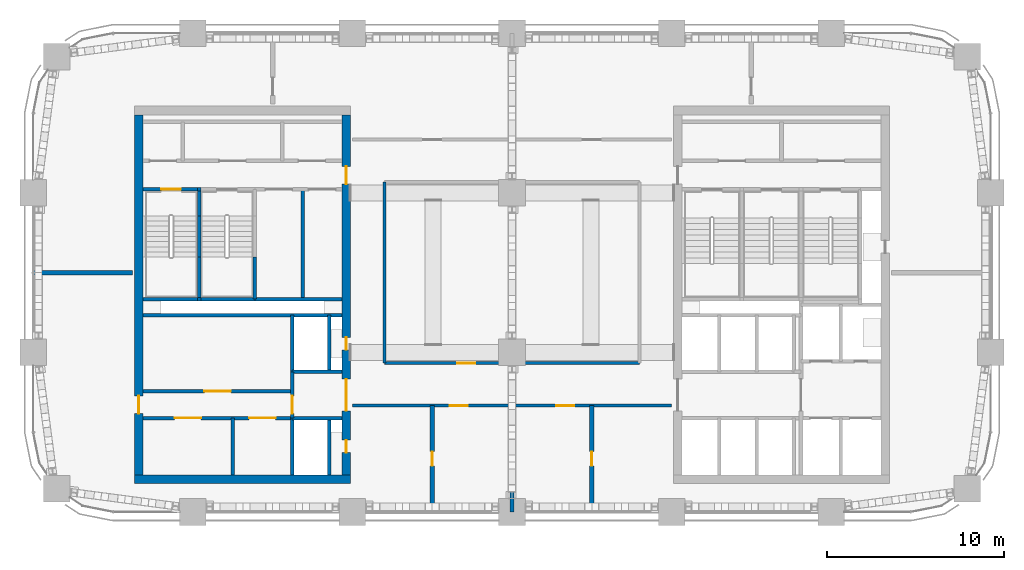
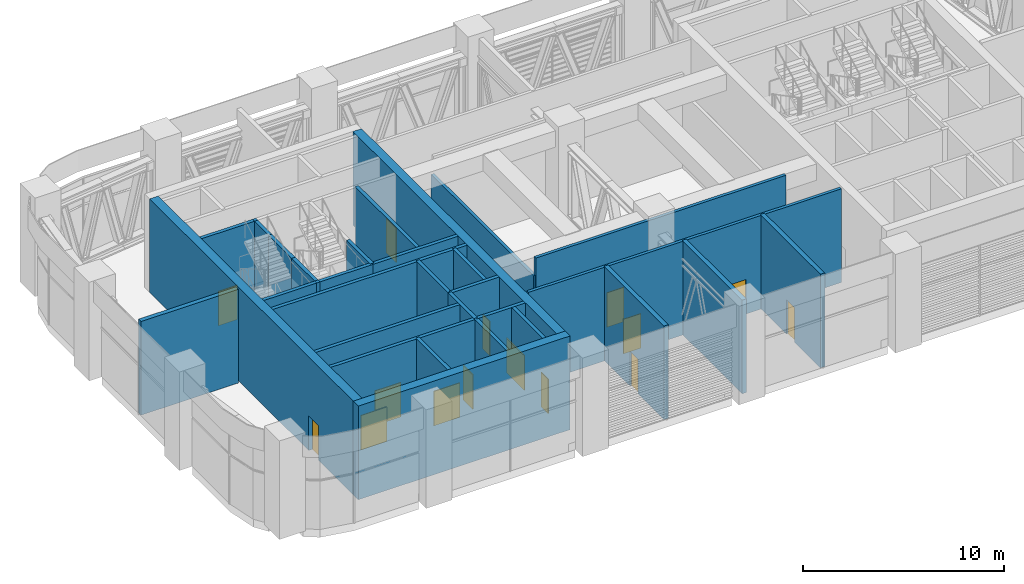
# One storey, part 12 of 19: 32 walls, 15 doors, 15 openings.
"""IFC4 building model written with IfcOpenShell, lengths in metres."""

from ifc_helpers import new_model, si_unit, direction, frame, frame_2d, origin, place, context, subcontext, project, spatial, rectangle, extrude, material, layer, layer_set, type_object, element, fill, save


model = new_model("IFC4")

# Units and contexts
model_context = context("Model", 3, precision=1e-05, world=origin(), true_north=direction((0.0, 1.0)))
body_context = subcontext(model_context, "Body", "Model", "MODEL_VIEW")
ifc_project = project(units=[si_unit("LENGTHUNIT", "METRE"), si_unit("AREAUNIT", "SQUARE_METRE"), si_unit("VOLUMEUNIT", "CUBIC_METRE"), si_unit("PLANEANGLEUNIT", "RADIAN"), si_unit("MASSUNIT", "GRAM", prefix="KILO")], contexts=[model_context])

# Site, building, storey
site_placement = place(None, origin())
site = spatial("IfcSite", under=ifc_project, at=site_placement, CompositionType="ELEMENT")
building_placement = place(site_placement, origin())
building = spatial("IfcBuilding", under=site, at=building_placement, Name="Tessera Arch", CompositionType="ELEMENT")
storey_placement = place(building_placement, frame((0.0, 0.0, 197.300048828125)))
storey = spatial("IfcBuildingStorey", under=building, at=storey_placement, Name="L47", CompositionType="ELEMENT", Elevation=197.300048828125)

# Wall
ifc_material_1 = material(Name="Gypsum board on steel stud", Category="steel")
ifc_layer_1 = layer(ifc_material_1, 0.125)
ifc_layer_set_1 = layer_set([ifc_layer_1], Name="Core partition 125 EI 60")
wall_type_1 = type_object("IfcWallType", Name="Core partition 125 EI 60", PredefinedType="PARTITIONING", material=ifc_layer_set_1)
wall_1_placement = place(storey_placement, frame((11.239990234375, 29.10009765625, 0.0), z_axis=(0.0, 0.0, 1.0), x_axis=(0.0, 1.0, 0.0)))
element("IfcWall", 1, at=wall_1_placement, inside=storey, type_object=wall_type_1, Name="L47 C2 partition wall 5", PredefinedType="PARTITIONING", context=body_context, shape_type="SweptSolid", body=[
    extrude(rectangle(XDim=3.199951171875, YDim=0.199951171875, at=frame_2d((1.60009765625, 0.0))), origin(), (0.0, 0.0, 1.0), 5.699951171875),
])

# Wall, opening, door
wall_2_placement = place(storey_placement, frame((14.60009765625, 32.300048828125, 0.0), z_axis=(0.0, 0.0, 1.0), x_axis=(0.0, 1.0, 0.0)))
wall_2 = element("IfcWall", 2, at=wall_2_placement, inside=storey, type_object=wall_type_1, Name="L47 C2 partition wall 10", PredefinedType="PARTITIONING", context=body_context, shape_type="SweptSolid", body=[
    extrude(rectangle(XDim=2.599853515625, YDim=0.199951171875, at=frame_2d((1.2998046875, 0.0))), origin(), (0.0, 0.0, 1.0), 5.699951171875),
])
opening_1_placement = place(wall_2_placement, frame((0.25, 0.0, 0.0)))
opening_1 = element("IfcOpeningElement", 3, at=opening_1_placement, cuts=wall_2, Name="Opening L47-C20", PredefinedType="OPENING", context=body_context, shape_type="SweptSolid", body=[
    extrude(rectangle(XDim=1.0, YDim=2.10009765625, at=frame_2d((0.5, 1.050048828125))), frame((0.0, 0.10986328125, 0.0), z_axis=(0.0, -1.0, 0.0), x_axis=(1.0, 0.0, 0.0)), (0.0, 0.0, 1.0), 0.219970703125),
])
ifc_material_2 = material(Name="Steel door leaf", Category="steel")
door_type_1 = type_object("IfcDoorType", Name="Corridor door FD60 1000 x 2100", OperationType="SINGLE_SWING_LEFT", PredefinedType="DOOR", material=ifc_material_2)
door_1_placement = place(opening_1_placement, origin())
door_1 = element("IfcDoor", 4, at=door_1_placement, inside=storey, type_object=door_type_1, Name="L47 C2 door 7 C20 type D12", OperationType="SINGLE_SWING_LEFT", OverallHeight=2.10009765625, OverallWidth=1.0, PredefinedType="DOOR", context=body_context, shape_type="SweptSolid", body=[
    extrude(rectangle(XDim=1.0, YDim=2.10009765625, at=frame_2d((0.5, 1.050048828125))), frame((0.0, 0.02490234375, 0.0), z_axis=(0.0, -1.0, 0.0), x_axis=(1.0, 0.0, 0.0)), (0.0, 0.0, 1.0), 0.050048828125),
])
fill(opening_1, door_1)

# Wall
wall_3_placement = place(storey_placement, frame((15.195068359375, 39.0, 0.0), z_axis=(0.0, 0.0, 1.0), x_axis=(0.0, 1.0, 0.0)))
element("IfcWall", 5, at=wall_3_placement, inside=storey, type_object=wall_type_1, Name="L47 C2 partition wall 13", PredefinedType="PARTITIONING", context=body_context, shape_type="SweptSolid", body=[
    extrude(rectangle(XDim=6.199951171875, YDim=0.199951171875, at=frame_2d((3.10009765625, 0.0))), origin(), (0.0, 0.0, 1.0), 5.699951171875),
])

# Wall, openings, doors
wall_4_placement = place(storey_placement, frame((6.199951171875, 32.300048828125, 0.0), z_axis=(0.0, 0.0, 1.0), x_axis=(1.0, 0.0, 0.0)))
wall_4 = element("IfcWall", 6, at=wall_4_placement, inside=storey, type_object=wall_type_1, Name="L47 C2 partition wall 16", PredefinedType="PARTITIONING", context=body_context, shape_type="SweptSolid", body=[
    extrude(rectangle(XDim=8.400146484375, YDim=0.199951171875, at=frame_2d((4.2001953125, 0.0))), origin(), (0.0, 0.0, 1.0), 5.699951171875),
])
opening_2_placement = place(wall_4_placement, frame((1.77001953125, 0.0, 0.0)))
opening_2 = element("IfcOpeningElement", 7, at=opening_2_placement, cuts=wall_4, Name="Opening L47-C27", PredefinedType="OPENING", context=body_context, shape_type="SweptSolid", body=[
    extrude(rectangle(XDim=1.5, YDim=2.10009765625, at=frame_2d((0.75, 1.050048828125))), frame((0.0, 0.10986328125, 0.0), z_axis=(0.0, -1.0, 0.0), x_axis=(1.0, 0.0, 0.0)), (0.0, 0.0, 1.0), 0.219970703125),
])
opening_3_placement = place(wall_4_placement, frame((5.969970703125, 0.0, 0.0)))
opening_3 = element("IfcOpeningElement", 8, at=opening_3_placement, cuts=wall_4, Name="Opening L47-C28", PredefinedType="OPENING", context=body_context, shape_type="SweptSolid", body=[
    extrude(rectangle(XDim=1.5, YDim=2.10009765625, at=frame_2d((0.75, 1.050048828125))), frame((0.0, 0.10986328125, 0.0), z_axis=(0.0, -1.0, 0.0), x_axis=(1.0, 0.0, 0.0)), (0.0, 0.0, 1.0), 0.219970703125),
])
ifc_material_3 = material(Name="Steel door leaf", Category="steel")
door_type_2 = type_object("IfcDoorType", Name="Plant door FD60 1500 x 2100", OperationType="DOUBLE_DOOR_SINGLE_SWING", PredefinedType="DOOR", material=ifc_material_3)
door_2_placement = place(opening_2_placement, origin())
door_2 = element("IfcDoor", 9, at=door_2_placement, inside=storey, type_object=door_type_2, Name="L47 C2 door 14 C27 type D08", OperationType="DOUBLE_DOOR_SINGLE_SWING", OverallHeight=2.10009765625, OverallWidth=1.5, PredefinedType="DOOR", context=body_context, shape_type="SweptSolid", body=[
    extrude(rectangle(XDim=1.5, YDim=2.10009765625, at=frame_2d((0.75, 1.050048828125))), frame((0.0, 0.02490234375, 0.0), z_axis=(0.0, -1.0, 0.0), x_axis=(1.0, 0.0, 0.0)), (0.0, 0.0, 1.0), 0.050048828125),
])
fill(opening_2, door_2)
door_3_placement = place(opening_3_placement, origin())
door_3 = element("IfcDoor", 10, at=door_3_placement, inside=storey, type_object=door_type_2, Name="L47 C2 door 15 C28 type D08", OperationType="DOUBLE_DOOR_SINGLE_SWING", OverallHeight=2.10009765625, OverallWidth=1.5, PredefinedType="DOOR", context=body_context, shape_type="SweptSolid", body=[
    extrude(rectangle(XDim=1.5, YDim=2.10009765625, at=frame_2d((0.75, 1.050048828125))), frame((0.0, 0.02490234375, 0.0), z_axis=(0.0, -1.0, 0.0), x_axis=(1.0, 0.0, 0.0)), (0.0, 0.0, 1.0), 0.050048828125),
])
fill(opening_3, door_3)

# Wall, opening, door
wall_5_placement = place(storey_placement, frame((6.199951171875, 33.800048828125, 0.0), z_axis=(0.0, 0.0, 1.0), x_axis=(1.0, 0.0, 0.0)))
wall_5 = element("IfcWall", 11, at=wall_5_placement, inside=storey, type_object=wall_type_1, Name="L47 C2 partition wall 18", PredefinedType="PARTITIONING", context=body_context, shape_type="SweptSolid", body=[
    extrude(rectangle(XDim=8.400146484375, YDim=0.199951171875, at=frame_2d((4.2001953125, 0.0))), origin(), (0.0, 0.0, 1.0), 5.699951171875),
])
opening_4_placement = place(wall_5_placement, frame((3.449951171875, 0.0, 0.0)))
opening_4 = element("IfcOpeningElement", 12, at=opening_4_placement, cuts=wall_5, Name="Opening L47-C29", PredefinedType="OPENING", context=body_context, shape_type="SweptSolid", body=[
    extrude(rectangle(XDim=1.5, YDim=2.10009765625, at=frame_2d((0.75, 1.050048828125))), frame((0.0, 0.10986328125, 0.0), z_axis=(0.0, -1.0, 0.0), x_axis=(1.0, 0.0, 0.0)), (0.0, 0.0, 1.0), 0.219970703125),
])
door_4_placement = place(opening_4_placement, origin())
door_4 = element("IfcDoor", 13, at=door_4_placement, inside=storey, type_object=door_type_2, Name="L47 C2 door 16 C29 type D08", OperationType="DOUBLE_DOOR_SINGLE_SWING", OverallHeight=2.10009765625, OverallWidth=1.5, PredefinedType="DOOR", context=body_context, shape_type="SweptSolid", body=[
    extrude(rectangle(XDim=1.5, YDim=2.10009765625, at=frame_2d((0.75, 1.050048828125))), frame((0.0, 0.02490234375, 0.0), z_axis=(0.0, -1.0, 0.0), x_axis=(1.0, 0.0, 0.0)), (0.0, 0.0, 1.0), 0.050048828125),
])
fill(opening_4, door_4)

# Wall
ifc_material_4 = material(Name="Concrete C60/75", Category="concrete")
ifc_layer_2 = layer(ifc_material_4, 0.5)
ifc_layer_set_2 = layer_set([ifc_layer_2], Name="Core shell wall 500 C60-75")
wall_type_2 = type_object("IfcWallType", Name="Core shell wall 500 C60-75", PredefinedType="SHEAR", material=ifc_layer_set_2)
wall_6_placement = place(storey_placement, frame((5.699951171875, 28.85009765625, 0.0), z_axis=(0.0, 0.0, 1.0), x_axis=(1.0, 0.0, 0.0)))
element("IfcWall", 14, at=wall_6_placement, inside=storey, type_object=wall_type_2, Name="L47 C2 core wall S", PredefinedType="SHEAR", context=body_context, shape_type="SweptSolid", body=[
    extrude(rectangle(XDim=12.199951171875, YDim=0.5, at=frame_2d((6.10009765625, 0.0))), origin(), (0.0, 0.0, 1.0), 5.699951171875),
])

# Wall, opening, door
wall_7_placement = place(storey_placement, frame((5.949951171875, 29.10009765625, 0.0), z_axis=(0.0, 0.0, 1.0), x_axis=(0.0, 1.0, 0.0)))
wall_7 = element("IfcWall", 15, at=wall_7_placement, inside=storey, type_object=wall_type_2, Name="L47 C2 core wall W", PredefinedType="SHEAR", context=body_context, shape_type="SweptSolid", body=[
    extrude(rectangle(XDim=20.2998046875, YDim=0.5, at=frame_2d((10.14990234375, 0.0))), origin(), (0.0, 0.0, 1.0), 5.699951171875),
])
opening_5_placement = place(wall_7_placement, frame((3.449951171875, 0.0, 0.0)))
opening_5 = element("IfcOpeningElement", 16, at=opening_5_placement, cuts=wall_7, Name="Opening L47-C19", PredefinedType="OPENING", context=body_context, shape_type="SweptSolid", body=[
    extrude(rectangle(XDim=1.0, YDim=2.10009765625, at=frame_2d((0.5, 1.050048828125))), frame((0.0, 0.260009765625, 0.0), z_axis=(0.0, -1.0, 0.0), x_axis=(1.0, 0.0, 0.0)), (0.0, 0.0, 1.0), 0.52001953125),
])
door_5_placement = place(opening_5_placement, origin())
door_5 = element("IfcDoor", 17, at=door_5_placement, inside=storey, type_object=door_type_1, Name="L47 C2 door 6 C19 type D12", OperationType="SINGLE_SWING_LEFT", OverallHeight=2.10009765625, OverallWidth=1.0, PredefinedType="DOOR", context=body_context, shape_type="SweptSolid", body=[
    extrude(rectangle(XDim=1.0, YDim=2.10009765625, at=frame_2d((0.5, 1.050048828125))), frame((0.0, 0.02490234375, 0.0), z_axis=(0.0, -1.0, 0.0), x_axis=(1.0, 0.0, 0.0)), (0.0, 0.0, 1.0), 0.050048828125),
])
fill(opening_5, door_5)

# Wall, openings, doors
wall_8_placement = place(storey_placement, frame((17.64990234375, 29.10009765625, 0.0), z_axis=(0.0, 0.0, 1.0), x_axis=(0.0, 1.0, 0.0)))
wall_8 = element("IfcWall", 18, at=wall_8_placement, inside=storey, type_object=wall_type_2, Name="L47 C2 core wall E", PredefinedType="SHEAR", context=body_context, shape_type="SweptSolid", body=[
    extrude(rectangle(XDim=20.2998046875, YDim=0.5, at=frame_2d((10.14990234375, 0.0))), origin(), (0.0, 0.0, 1.0), 5.699951171875),
])
opening_6_placement = place(wall_8_placement, frame((1.25, 0.0, 0.0)))
opening_6 = element("IfcOpeningElement", 19, at=opening_6_placement, cuts=wall_8, Name="Opening L47-C14", PredefinedType="OPENING", context=body_context, shape_type="SweptSolid", body=[
    extrude(rectangle(XDim=0.699951171875, YDim=2.10009765625, at=frame_2d((0.35009765625, 1.050048828125))), frame((0.0, 0.260009765625, 0.0), z_axis=(0.0, -1.0, 0.0), x_axis=(1.0, 0.0, 0.0)), (0.0, 0.0, 1.0), 0.52001953125),
])
opening_7_placement = place(wall_8_placement, frame((7.050048828125, 0.0, 0.0)))
opening_7 = element("IfcOpeningElement", 20, at=opening_7_placement, cuts=wall_8, Name="Opening L47-C15", PredefinedType="OPENING", context=body_context, shape_type="SweptSolid", body=[
    extrude(rectangle(XDim=0.699951171875, YDim=2.10009765625, at=frame_2d((0.35009765625, 1.050048828125))), frame((0.0, 0.260009765625, 0.0), z_axis=(0.0, -1.0, 0.0), x_axis=(1.0, 0.0, 0.0)), (0.0, 0.0, 1.0), 0.52001953125),
])
opening_8_placement = place(wall_8_placement, frame((3.60009765625, 0.0, 0.0)))
opening_8 = element("IfcOpeningElement", 21, at=opening_8_placement, cuts=wall_8, Name="Opening L47-C18", PredefinedType="OPENING", context=body_context, shape_type="SweptSolid", body=[
    extrude(rectangle(XDim=1.800048828125, YDim=2.10009765625, at=frame_2d((0.89990234375, 1.050048828125))), frame((0.0, 0.260009765625, 0.0), z_axis=(0.0, -1.0, 0.0), x_axis=(1.0, 0.0, 0.0)), (0.0, 0.0, 1.0), 0.52001953125),
])
opening_9_placement = place(wall_8_placement, frame((16.39990234375, 0.0, 0.0)))
opening_9 = element("IfcOpeningElement", 22, at=opening_9_placement, cuts=wall_8, Name="Opening L47-C21", PredefinedType="OPENING", context=body_context, shape_type="SweptSolid", body=[
    extrude(rectangle(XDim=1.0, YDim=2.10009765625, at=frame_2d((0.5, 1.050048828125))), frame((0.0, 0.260009765625, 0.0), z_axis=(0.0, -1.0, 0.0), x_axis=(1.0, 0.0, 0.0)), (0.0, 0.0, 1.0), 0.52001953125),
])
door_6_placement = place(opening_9_placement, origin())
door_6 = element("IfcDoor", 23, at=door_6_placement, inside=storey, type_object=door_type_1, Name="L47 C2 door 8 C21 type D12", OperationType="SINGLE_SWING_RIGHT", OverallHeight=2.10009765625, OverallWidth=1.0, PredefinedType="DOOR", context=body_context, shape_type="SweptSolid", body=[
    extrude(rectangle(XDim=1.0, YDim=2.10009765625, at=frame_2d((0.5, 1.050048828125))), frame((0.0, 0.02490234375, 0.0), z_axis=(0.0, -1.0, 0.0), x_axis=(1.0, 0.0, 0.0)), (0.0, 0.0, 1.0), 0.050048828125),
])
fill(opening_9, door_6)
ifc_material_5 = material(Name="Glazed steel door leaf", Category="steel")
door_type_3 = type_object("IfcDoorType", Name="Lobby double door FD60 1800 x 2100", OperationType="DOUBLE_DOOR_SINGLE_SWING", PredefinedType="DOOR", material=ifc_material_5)
door_7_placement = place(opening_8_placement, origin())
door_7 = element("IfcDoor", 24, at=door_7_placement, inside=storey, type_object=door_type_3, Name="L47 C2 door 5 C18 type D19", OperationType="DOUBLE_DOOR_SINGLE_SWING", OverallHeight=2.10009765625, OverallWidth=1.800048828125, PredefinedType="DOOR", context=body_context, shape_type="SweptSolid", body=[
    extrude(rectangle(XDim=1.800048828125, YDim=2.10009765625, at=frame_2d((0.89990234375, 1.050048828125))), frame((0.0, 0.02490234375, 0.0), z_axis=(0.0, -1.0, 0.0), x_axis=(1.0, 0.0, 0.0)), (0.0, 0.0, 1.0), 0.050048828125),
])
fill(opening_8, door_7)
ifc_material_6 = material(Name="Steel door leaf", Category="steel")
door_type_4 = type_object("IfcDoorType", Name="Service shaft door FD60 700 x 2100", OperationType="SINGLE_SWING_LEFT", PredefinedType="DOOR", material=ifc_material_6)
door_8_placement = place(opening_6_placement, origin())
door_8 = element("IfcDoor", 25, at=door_8_placement, inside=storey, type_object=door_type_4, Name="L47 C2 door 1 C14 type D07", OperationType="SINGLE_SWING_LEFT", OverallHeight=2.10009765625, OverallWidth=0.699951171875, PredefinedType="DOOR", context=body_context, shape_type="SweptSolid", body=[
    extrude(rectangle(XDim=0.699951171875, YDim=2.10009765625, at=frame_2d((0.35009765625, 1.050048828125))), frame((0.0, 0.02490234375, 0.0), z_axis=(0.0, -1.0, 0.0), x_axis=(1.0, 0.0, 0.0)), (0.0, 0.0, 1.0), 0.050048828125),
])
fill(opening_6, door_8)
door_9_placement = place(opening_7_placement, origin())
door_9 = element("IfcDoor", 26, at=door_9_placement, inside=storey, type_object=door_type_4, Name="L47 C2 door 2 C15 type D07", OperationType="SINGLE_SWING_LEFT", OverallHeight=2.10009765625, OverallWidth=0.699951171875, PredefinedType="DOOR", context=body_context, shape_type="SweptSolid", body=[
    extrude(rectangle(XDim=0.699951171875, YDim=2.10009765625, at=frame_2d((0.35009765625, 1.050048828125))), frame((0.0, 0.02490234375, 0.0), z_axis=(0.0, -1.0, 0.0), x_axis=(1.0, 0.0, 0.0)), (0.0, 0.0, 1.0), 0.050048828125),
])
fill(opening_7, door_9)

ifc_material_7 = material(Name="Gypsum board on deep steel stud with mineral wool", Category="steel")
ifc_layer_3 = layer(ifc_material_7, 0.175048828125)
ifc_layer_set_3 = layer_set([ifc_layer_3], Name="Corridor wall 175 EI 60")
wall_type_3 = type_object("IfcWallType", Name="Corridor wall 175 EI 60", PredefinedType="PARTITIONING", material=ifc_layer_set_3)
wall_9_placement = place(storey_placement, frame((18.0, 33.0, 0.0), z_axis=(0.0, 0.0, 1.0), x_axis=(1.0, 0.0, 0.0)))
wall_9 = element("IfcWall", 27, at=wall_9_placement, inside=storey, type_object=wall_type_3, Name="L47 partition 1", PredefinedType="PARTITIONING", context=body_context, shape_type="SweptSolid", body=[
    extrude(rectangle(XDim=18.0, YDim=0.175048828125, at=frame_2d((9.0, 0.0))), origin(), (0.0, 0.0, 1.0), 5.699951171875),
])
opening_10_placement = place(wall_9_placement, frame((5.5, 0.0, 0.0)))
opening_10 = element("IfcOpeningElement", 28, at=opening_10_placement, cuts=wall_9, Name="Opening L47-D001", PredefinedType="OPENING", context=body_context, shape_type="SweptSolid", body=[
    extrude(rectangle(XDim=1.0, YDim=2.10009765625, at=frame_2d((0.5, 1.050048828125))), frame((0.0, 0.097412109375, 0.0), z_axis=(0.0, -1.0, 0.0), x_axis=(1.0, 0.0, 0.0)), (0.0, 0.0, 1.0), 0.195068359375),
])
opening_11_placement = place(wall_9_placement, frame((11.5, 0.0, 0.0)))
opening_11 = element("IfcOpeningElement", 29, at=opening_11_placement, cuts=wall_9, Name="Opening L47-D003", PredefinedType="OPENING", context=body_context, shape_type="SweptSolid", body=[
    extrude(rectangle(XDim=1.0, YDim=2.10009765625, at=frame_2d((0.5, 1.050048828125))), frame((0.0, 0.097412109375, 0.0), z_axis=(0.0, -1.0, 0.0), x_axis=(1.0, 0.0, 0.0)), (0.0, 0.0, 1.0), 0.195068359375),
])
ifc_material_8 = material(Name="Fire-rated door leaf")
door_type_5 = type_object("IfcDoorType", Name="Entrance door FD60 1000 x 2100", OperationType="SINGLE_SWING_LEFT", PredefinedType="DOOR", material=ifc_material_8)
door_10_placement = place(opening_10_placement, origin())
door_10 = element("IfcDoor", 30, at=door_10_placement, inside=storey, type_object=door_type_5, Name="L47 door D001 type D16", OperationType="SINGLE_SWING_LEFT", OverallHeight=2.10009765625, OverallWidth=1.0, PredefinedType="DOOR", context=body_context, shape_type="SweptSolid", body=[
    extrude(rectangle(XDim=1.0, YDim=2.10009765625, at=frame_2d((0.5, 1.050048828125))), frame((0.0, 0.02490234375, 0.0), z_axis=(0.0, -1.0, 0.0), x_axis=(1.0, 0.0, 0.0)), (0.0, 0.0, 1.0), 0.050048828125),
])
fill(opening_10, door_10)
door_11_placement = place(opening_11_placement, origin())
door_11 = element("IfcDoor", 31, at=door_11_placement, inside=storey, type_object=door_type_5, Name="L47 door D003 type D16", OperationType="SINGLE_SWING_LEFT", OverallHeight=2.10009765625, OverallWidth=1.0, PredefinedType="DOOR", context=body_context, shape_type="SweptSolid", body=[
    extrude(rectangle(XDim=1.0, YDim=2.10009765625, at=frame_2d((0.5, 1.050048828125))), frame((0.0, 0.02490234375, 0.0), z_axis=(0.0, -1.0, 0.0), x_axis=(1.0, 0.0, 0.0)), (0.0, 0.0, 1.0), 0.050048828125),
])
fill(opening_11, door_11)

# Wall, opening, door
wall_10_placement = place(storey_placement, frame((19.800048828125, 35.39990234375, 0.0), z_axis=(0.0, 0.0, 1.0), x_axis=(1.0, 0.0, 0.0)))
wall_10 = element("IfcWall", 32, at=wall_10_placement, inside=storey, type_object=wall_type_3, Name="L47 partition 2", PredefinedType="PARTITIONING", context=body_context, shape_type="SweptSolid", body=[
    extrude(rectangle(XDim=14.39990234375, YDim=0.175048828125, at=frame_2d((7.199951171875, 0.0))), origin(), (0.0, 0.0, 1.0), 5.699951171875),
])
opening_12_placement = place(wall_10_placement, frame((4.1201171875, 0.0, 0.0)))
opening_12 = element("IfcOpeningElement", 33, at=opening_12_placement, cuts=wall_10, Name="Opening L47-D005", PredefinedType="OPENING", context=body_context, shape_type="SweptSolid", body=[
    extrude(rectangle(XDim=1.0, YDim=2.10009765625, at=frame_2d((0.5, 1.050048828125))), frame((0.0, 0.097412109375, 0.0), z_axis=(0.0, -1.0, 0.0), x_axis=(1.0, 0.0, 0.0)), (0.0, 0.0, 1.0), 0.195068359375),
])
door_12_placement = place(opening_12_placement, origin())
door_12 = element("IfcDoor", 34, at=door_12_placement, inside=storey, type_object=door_type_5, Name="L47 door D005 type D16", OperationType="SINGLE_SWING_RIGHT", OverallHeight=2.10009765625, OverallWidth=1.0, PredefinedType="DOOR", context=body_context, shape_type="SweptSolid", body=[
    extrude(rectangle(XDim=1.0, YDim=2.10009765625, at=frame_2d((0.5, 1.050048828125))), frame((0.0, 0.02490234375, 0.0), z_axis=(0.0, -1.0, 0.0), x_axis=(1.0, 0.0, 0.0)), (0.0, 0.0, 1.0), 0.050048828125),
])
fill(opening_12, door_12)

# Walls
wall_11_placement = place(storey_placement, frame((19.800048828125, 35.39990234375, 0.0), z_axis=(0.0, 0.0, 1.0), x_axis=(0.0, 1.0, 0.0)))
element("IfcWall", 35, at=wall_11_placement, inside=storey, type_object=wall_type_3, Name="L47 partition 5", PredefinedType="PARTITIONING", context=body_context, shape_type="SweptSolid", body=[
    extrude(rectangle(XDim=10.2001953125, YDim=0.175048828125, at=frame_2d((5.10009765625, 0.0))), origin(), (0.0, 0.0, 1.0), 4.58984375),
])
ifc_material_9 = material(Name="Double gypsum board on twin steel stud with acoustic mineral wool", Category="steel")
ifc_layer_4 = layer(ifc_material_9, 0.25)
ifc_layer_set_4 = layer_set([ifc_layer_4], Name="Party wall 250 EI 60")
wall_type_4 = type_object("IfcWallType", Name="Party wall 250 EI 60", PredefinedType="PARTITIONING", material=ifc_layer_set_4)
wall_12_placement = place(storey_placement, frame((0.0, 40.5, 0.0), z_axis=(0.0, 0.0, 1.0), x_axis=(1.0, 0.0, 0.0)))
element("IfcWall", 36, at=wall_12_placement, inside=storey, type_object=wall_type_4, Name="L47 partition 7", PredefinedType="PARTITIONING", context=body_context, shape_type="SweptSolid", body=[
    extrude(rectangle(XDim=5.60009765625, YDim=0.25, at=frame_2d((2.800048828125, 0.0))), origin(), (0.0, 0.0, 1.0), 5.699951171875),
])

# Wall, opening, door
wall_13_placement = place(storey_placement, frame((22.5, 27.0, 0.0), z_axis=(0.0, 0.0, 1.0), x_axis=(0.0, 1.0, 0.0)))
wall_13 = element("IfcWall", 37, at=wall_13_placement, inside=storey, type_object=wall_type_4, Name="L47 partition 10", PredefinedType="PARTITIONING", context=body_context, shape_type="SweptSolid", body=[
    extrude(rectangle(XDim=6.0, YDim=0.25, at=frame_2d((3.0, 0.0))), origin(), (0.0, 0.0, 1.0), 5.699951171875),
])
opening_13_placement = place(wall_13_placement, frame((2.60009765625, 0.0, 0.0)))
opening_13 = element("IfcOpeningElement", 38, at=opening_13_placement, cuts=wall_13, Name="Opening L47-D006", PredefinedType="OPENING", context=body_context, shape_type="SweptSolid", body=[
    extrude(rectangle(XDim=0.800048828125, YDim=2.10009765625, at=frame_2d((0.39990234375, 1.050048828125))), frame((0.0, 0.135009765625, 0.0), z_axis=(0.0, -1.0, 0.0), x_axis=(1.0, 0.0, 0.0)), (0.0, 0.0, 1.0), 0.27001953125),
])
ifc_material_10 = material(Name="Fire-rated door leaf")
door_type_6 = type_object("IfcDoorType", Name="Flat door FD60 800 x 2100", OperationType="SINGLE_SWING_LEFT", PredefinedType="DOOR", material=ifc_material_10)
door_13_placement = place(opening_13_placement, origin())
door_13 = element("IfcDoor", 39, at=door_13_placement, inside=storey, type_object=door_type_6, Name="L47 door D006 type D15", OperationType="SINGLE_SWING_RIGHT", OverallHeight=2.10009765625, OverallWidth=0.800048828125, PredefinedType="DOOR", context=body_context, shape_type="SweptSolid", body=[
    extrude(rectangle(XDim=0.800048828125, YDim=2.10009765625, at=frame_2d((0.39990234375, 1.050048828125))), frame((0.0, 0.02490234375, 0.0), z_axis=(0.0, -1.0, 0.0), x_axis=(1.0, 0.0, 0.0)), (0.0, 0.0, 1.0), 0.050048828125),
])
fill(opening_13, door_13)

# Wall
wall_14_placement = place(storey_placement, frame((27.0, 27.0, 0.0), z_axis=(0.0, 0.0, 1.0), x_axis=(0.0, 1.0, 0.0)))
element("IfcWall", 40, at=wall_14_placement, inside=storey, type_object=wall_type_4, Name="L47 partition 11", PredefinedType="PARTITIONING", context=body_context, shape_type="SweptSolid", body=[
    extrude(rectangle(XDim=6.0, YDim=0.25, at=frame_2d((3.0, 0.0))), origin(), (0.0, 0.0, 1.0), 5.699951171875),
])

# Wall, opening, door
wall_15_placement = place(storey_placement, frame((31.5, 27.0, 0.0), z_axis=(0.0, 0.0, 1.0), x_axis=(0.0, 1.0, 0.0)))
wall_15 = element("IfcWall", 41, at=wall_15_placement, inside=storey, type_object=wall_type_4, Name="L47 partition 13", PredefinedType="PARTITIONING", context=body_context, shape_type="SweptSolid", body=[
    extrude(rectangle(XDim=6.0, YDim=0.25, at=frame_2d((3.0, 0.0))), origin(), (0.0, 0.0, 1.0), 5.699951171875),
])
opening_14_placement = place(wall_15_placement, frame((2.60009765625, 0.0, 0.0)))
opening_14 = element("IfcOpeningElement", 42, at=opening_14_placement, cuts=wall_15, Name="Opening L47-D008", PredefinedType="OPENING", context=body_context, shape_type="SweptSolid", body=[
    extrude(rectangle(XDim=0.800048828125, YDim=2.10009765625, at=frame_2d((0.39990234375, 1.050048828125))), frame((0.0, 0.135009765625, 0.0), z_axis=(0.0, -1.0, 0.0), x_axis=(1.0, 0.0, 0.0)), (0.0, 0.0, 1.0), 0.27001953125),
])
door_14_placement = place(opening_14_placement, origin())
door_14 = element("IfcDoor", 43, at=door_14_placement, inside=storey, type_object=door_type_6, Name="L47 door D008 type D15", OperationType="SINGLE_SWING_LEFT", OverallHeight=2.10009765625, OverallWidth=0.800048828125, PredefinedType="DOOR", context=body_context, shape_type="SweptSolid", body=[
    extrude(rectangle(XDim=0.800048828125, YDim=2.10009765625, at=frame_2d((0.39990234375, 1.050048828125))), frame((0.0, 0.02490234375, 0.0), z_axis=(0.0, -1.0, 0.0), x_axis=(1.0, 0.0, 0.0)), (0.0, 0.0, 1.0), 0.050048828125),
])
fill(opening_14, door_14)

# Walls
ifc_material_11 = material(Name="Concrete C40/50", Category="concrete")
ifc_layer_5 = layer(ifc_material_11, 0.199951171875)
ifc_layer_set_5 = layer_set([ifc_layer_5], Name="Shaft wall 200 EI 120")
wall_type_5 = type_object("IfcWallType", Name="Shaft wall 200 EI 120", PredefinedType="SOLIDWALL", material=ifc_layer_set_5)
wall_16_placement = place(storey_placement, frame((14.60009765625, 29.10009765625, 0.0), z_axis=(0.0, 0.0, 1.0), x_axis=(0.0, 1.0, 0.0)))
element("IfcWall", 44, at=wall_16_placement, inside=storey, type_object=wall_type_5, Name="L47 C2 shaft wall 11", PredefinedType="SOLIDWALL", context=body_context, shape_type="SweptSolid", body=[
    extrude(rectangle(XDim=3.199951171875, YDim=0.199951171875, at=frame_2d((1.60009765625, 0.0))), origin(), (0.0, 0.0, 1.0), 5.699951171875),
])
wall_17_placement = place(storey_placement, frame((14.60009765625, 34.89990234375, 0.0), z_axis=(0.0, 0.0, 1.0), x_axis=(0.0, 1.0, 0.0)))
element("IfcWall", 45, at=wall_17_placement, inside=storey, type_object=wall_type_5, Name="L47 C2 shaft wall 12", PredefinedType="SOLIDWALL", context=body_context, shape_type="SweptSolid", body=[
    extrude(rectangle(XDim=3.2001953125, YDim=0.199951171875, at=frame_2d((1.60009765625, 0.0))), origin(), (0.0, 0.0, 1.0), 5.699951171875),
])
wall_18_placement = place(storey_placement, frame((16.699951171875, 29.10009765625, 0.0), z_axis=(0.0, 0.0, 1.0), x_axis=(0.0, 1.0, 0.0)))
element("IfcWall", 46, at=wall_18_placement, inside=storey, type_object=wall_type_5, Name="L47 C2 shaft wall 14", PredefinedType="SOLIDWALL", context=body_context, shape_type="SweptSolid", body=[
    extrude(rectangle(XDim=3.199951171875, YDim=0.199951171875, at=frame_2d((1.60009765625, 0.0))), origin(), (0.0, 0.0, 1.0), 5.699951171875),
])
wall_19_placement = place(storey_placement, frame((16.699951171875, 34.89990234375, 0.0), z_axis=(0.0, 0.0, 1.0), x_axis=(0.0, 1.0, 0.0)))
element("IfcWall", 47, at=wall_19_placement, inside=storey, type_object=wall_type_5, Name="L47 C2 shaft wall 15", PredefinedType="SOLIDWALL", context=body_context, shape_type="SweptSolid", body=[
    extrude(rectangle(XDim=3.2001953125, YDim=0.199951171875, at=frame_2d((1.60009765625, 0.0))), origin(), (0.0, 0.0, 1.0), 5.699951171875),
])
for number, where, z_axis, x_axis, name in (
    (48, (14.60009765625, 32.300048828125, 0.0), (0.0, 0.0, 1.0), (1.0, 0.0, 0.0), "L47 C2 shaft wall 17"),
    (49, (14.60009765625, 34.89990234375, 0.0), (0.0, 0.0, 1.0), (1.0, 0.0, 0.0), "L47 C2 shaft wall 19"),
):
    element("IfcWall", number, at=place(storey_placement, frame(where, z_axis=z_axis, x_axis=x_axis)), inside=storey, type_object=wall_type_5, Name=name, PredefinedType="SOLIDWALL", context=body_context, shape_type="SweptSolid", body=[
        extrude(rectangle(XDim=2.7998046875, YDim=0.199951171875, at=frame_2d((1.39990234375, 0.0))), origin(), (0.0, 0.0, 1.0), 5.699951171875),
    ])
wall_20_placement = place(storey_placement, frame((6.199951171875, 38.10009765625, 0.0), z_axis=(0.0, 0.0, 1.0), x_axis=(1.0, 0.0, 0.0)))
element("IfcWall", 50, at=wall_20_placement, inside=storey, type_object=wall_type_5, Name="L47 C2 shaft wall 20", PredefinedType="SOLIDWALL", context=body_context, shape_type="SweptSolid", body=[
    extrude(rectangle(XDim=11.199951171875, YDim=0.199951171875, at=frame_2d((5.60009765625, 0.0))), origin(), (0.0, 0.0, 1.0), 5.699951171875),
])
wall_21_placement = place(storey_placement, frame((12.5, 39.0, 0.0), z_axis=(0.0, 0.0, 1.0), x_axis=(1.0, 0.0, 0.0)))
element("IfcWall", 51, at=wall_21_placement, inside=storey, type_object=wall_type_5, Name="L47 C2 shaft wall 21", PredefinedType="SOLIDWALL", context=body_context, shape_type="SweptSolid", body=[
    extrude(rectangle(XDim=4.89990234375, YDim=0.199951171875, at=frame_2d((2.449951171875, 0.0))), origin(), (0.0, 0.0, 1.0), 5.699951171875),
])
ifc_material_12 = material(Name="Concrete C40/50", Category="concrete")
ifc_layer_6 = layer(ifc_material_12, 0.199951171875)
ifc_layer_set_6 = layer_set([ifc_layer_6], Name="Stair well wall 200 REI 180")
wall_type_6 = type_object("IfcWallType", Name="Stair well wall 200 REI 180", PredefinedType="SOLIDWALL", material=ifc_layer_set_6)
wall_22_placement = place(storey_placement, frame((9.35009765625, 39.0, 0.0), z_axis=(0.0, 0.0, 1.0), x_axis=(0.0, 1.0, 0.0)))
element("IfcWall", 52, at=wall_22_placement, inside=storey, type_object=wall_type_6, Name="L47 C2 shaft wall 2", PredefinedType="SOLIDWALL", context=body_context, shape_type="SweptSolid", body=[
    extrude(rectangle(XDim=2.3798828125, YDim=0.199951171875, at=frame_2d((1.18994140625, 0.0))), origin(), (0.0, 0.0, 1.0), 5.699951171875),
])
wall_23_placement = place(storey_placement, frame((9.35009765625, 41.3798828125, 0.0), z_axis=(0.0, 0.0, 1.0), x_axis=(0.0, 1.0, 0.0)))
element("IfcWall", 53, at=wall_23_placement, inside=storey, type_object=wall_type_6, Name="L47 C2 shaft wall 3", PredefinedType="SOLIDWALL", context=body_context, shape_type="SweptSolid", body=[
    extrude(rectangle(XDim=2.320068359375, YDim=0.199951171875, at=frame_2d((1.16015625, 0.0))), origin(), (0.0, 0.0, 1.0), 5.699951171875),
])
wall_24_placement = place(storey_placement, frame((9.35009765625, 43.699951171875, 0.0), z_axis=(0.0, 0.0, 1.0), x_axis=(0.0, 1.0, 0.0)))
element("IfcWall", 54, at=wall_24_placement, inside=storey, type_object=wall_type_6, Name="L47 C2 shaft wall 4", PredefinedType="SOLIDWALL", context=body_context, shape_type="SweptSolid", body=[
    extrude(rectangle(XDim=1.5, YDim=0.199951171875, at=frame_2d((0.75, 0.0))), origin(), (0.0, 0.0, 1.0), 5.699951171875),
])
wall_25_placement = place(storey_placement, frame((12.5, 39.0, 0.0), z_axis=(0.0, 0.0, 1.0), x_axis=(0.0, 1.0, 0.0)))
element("IfcWall", 55, at=wall_25_placement, inside=storey, type_object=wall_type_6, Name="L47 C2 shaft wall 6", PredefinedType="SOLIDWALL", context=body_context, shape_type="SweptSolid", body=[
    extrude(rectangle(XDim=2.3798828125, YDim=0.199951171875, at=frame_2d((1.18994140625, 0.0))), origin(), (0.0, 0.0, 1.0), 5.699951171875),
])
wall_26_placement = place(storey_placement, frame((6.199951171875, 39.0, 0.0), z_axis=(0.0, 0.0, 1.0), x_axis=(1.0, 0.0, 0.0)))
element("IfcWall", 56, at=wall_26_placement, inside=storey, type_object=wall_type_6, Name="L47 C2 shaft wall 22", PredefinedType="SOLIDWALL", context=body_context, shape_type="SweptSolid", body=[
    extrude(rectangle(XDim=3.050048828125, YDim=0.199951171875, at=frame_2d((1.52490234375, 0.0))), origin(), (0.0, 0.0, 1.0), 5.699951171875),
])
wall_27_placement = place(storey_placement, frame((9.25, 39.0, 0.0), z_axis=(0.0, 0.0, 1.0), x_axis=(1.0, 0.0, 0.0)))
element("IfcWall", 57, at=wall_27_placement, inside=storey, type_object=wall_type_6, Name="L47 C2 shaft wall 23", PredefinedType="SOLIDWALL", context=body_context, shape_type="SweptSolid", body=[
    extrude(rectangle(XDim=0.199951171875, YDim=0.199951171875, at=frame_2d((0.10009765625, 0.0))), origin(), (0.0, 0.0, 1.0), 5.699951171875),
])
wall_28_placement = place(storey_placement, frame((9.449951171875, 39.0, 0.0), z_axis=(0.0, 0.0, 1.0), x_axis=(1.0, 0.0, 0.0)))
element("IfcWall", 58, at=wall_28_placement, inside=storey, type_object=wall_type_6, Name="L47 C2 shaft wall 24", PredefinedType="SOLIDWALL", context=body_context, shape_type="SweptSolid", body=[
    extrude(rectangle(XDim=3.050048828125, YDim=0.199951171875, at=frame_2d((1.52490234375, 0.0))), origin(), (0.0, 0.0, 1.0), 5.699951171875),
])

# Wall, opening, door
wall_29_placement = place(storey_placement, frame((6.199951171875, 45.199951171875, 0.0), z_axis=(0.0, 0.0, 1.0), x_axis=(1.0, 0.0, 0.0)))
wall_29 = element("IfcWall", 59, at=wall_29_placement, inside=storey, type_object=wall_type_6, Name="L47 C2 shaft wall 26", PredefinedType="SOLIDWALL", context=body_context, shape_type="SweptSolid", body=[
    extrude(rectangle(XDim=3.050048828125, YDim=0.199951171875, at=frame_2d((1.52490234375, 0.0))), origin(), (0.0, 0.0, 1.0), 5.699951171875),
])
opening_15_placement = place(wall_29_placement, frame((1.02490234375, 0.0, 0.0)))
opening_15 = element("IfcOpeningElement", 60, at=opening_15_placement, cuts=wall_29, Name="Opening L47-C16", PredefinedType="OPENING", context=body_context, shape_type="SweptSolid", body=[
    extrude(rectangle(XDim=1.10009765625, YDim=2.10009765625, at=frame_2d((0.550048828125, 1.050048828125))), frame((0.0, 0.10986328125, 0.0), z_axis=(0.0, -1.0, 0.0), x_axis=(1.0, 0.0, 0.0)), (0.0, 0.0, 1.0), 0.219970703125),
])
ifc_material_13 = material(Name="Steel door leaf", Category="steel")
door_type_7 = type_object("IfcDoorType", Name="Stair door FD60 1100 x 2100", OperationType="SINGLE_SWING_LEFT", PredefinedType="DOOR", material=ifc_material_13)
door_15_placement = place(opening_15_placement, origin())
door_15 = element("IfcDoor", 61, at=door_15_placement, inside=storey, type_object=door_type_7, Name="L47 C2 door 3 C16 type D05", OperationType="SINGLE_SWING_RIGHT", OverallHeight=2.10009765625, OverallWidth=1.10009765625, PredefinedType="DOOR", context=body_context, shape_type="SweptSolid", body=[
    extrude(rectangle(XDim=1.10009765625, YDim=2.10009765625, at=frame_2d((0.550048828125, 1.050048828125))), frame((0.0, 0.02490234375, 0.0), z_axis=(0.0, -1.0, 0.0), x_axis=(1.0, 0.0, 0.0)), (0.0, 0.0, 1.0), 0.050048828125),
])
fill(opening_15, door_15)

# Wall
wall_30_placement = place(storey_placement, frame((9.25, 45.199951171875, 0.0), z_axis=(0.0, 0.0, 1.0), x_axis=(1.0, 0.0, 0.0)))
element("IfcWall", 62, at=wall_30_placement, inside=storey, type_object=wall_type_6, Name="L47 C2 shaft wall 27", PredefinedType="SOLIDWALL", context=body_context, shape_type="SweptSolid", body=[
    extrude(rectangle(XDim=0.199951171875, YDim=0.199951171875, at=frame_2d((0.10009765625, 0.0))), origin(), (0.0, 0.0, 1.0), 5.699951171875),
])

save(model, "model.ifc")
